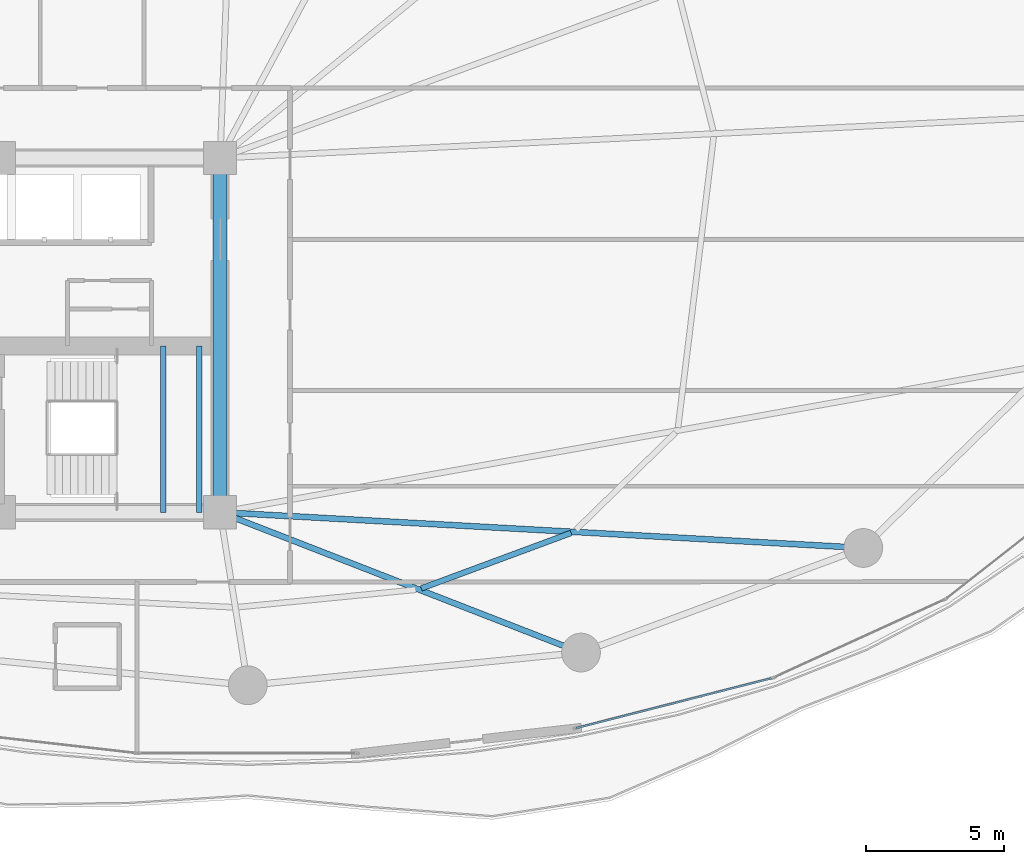
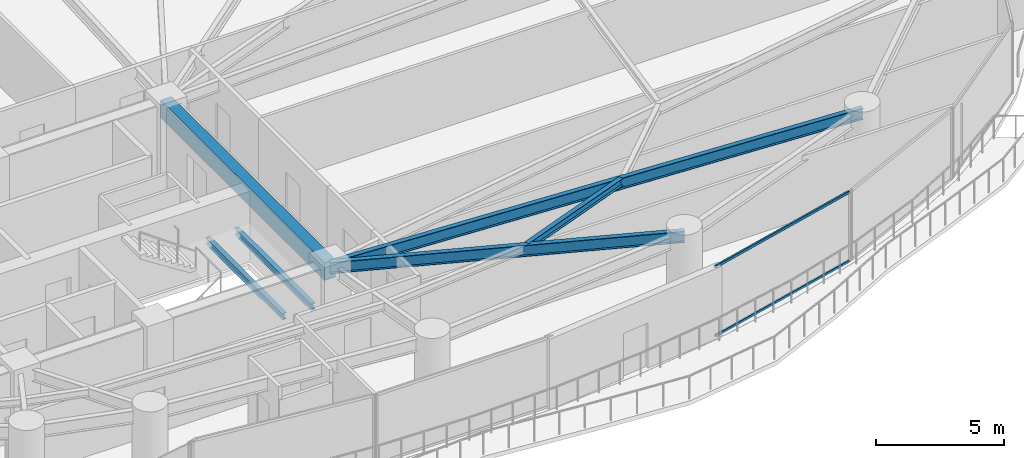
# One storey, part 12 of 31: 6 beams, 2 members, 1 element without a shape of its own.
"""IFC4 building model written with IfcOpenShell, lengths in metres."""

from ifc_helpers import new_model, si_unit, direction, frame, origin, origin_2d, place, context, subcontext, project, spatial, rectangle, hollow_rectangle, i_section, extrude, material, layer, layer_set, material_profile, profile_set, type_object, element, aggregate, save


model = new_model("IFC4")

# Units and contexts
model_context = context("Model", 3, precision=1e-05, world=origin(), true_north=direction((0.0, 1.0)))
body_context = subcontext(model_context, "Body", "Model", "MODEL_VIEW")
ifc_project = project(units=[si_unit("LENGTHUNIT", "METRE"), si_unit("AREAUNIT", "SQUARE_METRE"), si_unit("VOLUMEUNIT", "CUBIC_METRE"), si_unit("PLANEANGLEUNIT", "RADIAN"), si_unit("MASSUNIT", "GRAM", prefix="KILO")], contexts=[model_context])

# Site, building, storey
site_placement = place(None, origin())
site = spatial("IfcSite", under=ifc_project, at=site_placement, CompositionType="ELEMENT")
building_placement = place(site_placement, origin())
building = spatial("IfcBuilding", under=site, at=building_placement, Name="Kazevale Care Tower and Concert Hall", CompositionType="ELEMENT")
storey_placement = place(building_placement, frame((0.0, 0.0, 63.60009765625)))
storey = spatial("IfcBuildingStorey", under=building, at=storey_placement, Name="L16", CompositionType="ELEMENT", Elevation=63.60009765625)

# Curtain wall, members
ifc_material_1 = material(Name="Aluminium 6063-T6 and Low-E Glass", Category="aluminium")
ifc_layer = layer(ifc_material_1, 0.179931640625)
ifc_layer_set = layer_set([ifc_layer], Name="Aluminium 6063-T6 and Low-E Glass")
curtain_wall_type = type_object("IfcCurtainWallType", Name="Sheltered Concave Balcony Curtain Wall CW-5", PredefinedType="NOTDEFINED", material=ifc_layer_set)
curtain_wall_placement = place(storey_placement, origin())
curtain_wall = element("IfcCurtainWall", 1, at=curtain_wall_placement, inside=storey, type_object=curtain_wall_type, Name="cw:L16:f04", PredefinedType="NOTDEFINED")
ifc_material_2 = material(Name="Aluminium 6063-T6", Category="aluminium")
ifc_material_profile_1 = material_profile(ifc_material_2, hollow_rectangle(XDim=0.074951171875, YDim=0.1201171875, WallThickness=0.00390625, at=origin_2d()), Name="ALU75x120x4")
ifc_profile_set_1 = profile_set([ifc_material_profile_1], Name="Aluminium 6063-T6")
member_type = type_object("IfcMemberType", Name="CW-5 Transom ALU75x120x4", PredefinedType="USERDEFINED", material=ifc_profile_set_1)
member_1_placement = place(storey_placement, frame((63.915283203125, 17.599365234375, 0.037353515625), z_axis=(-0.968960816419, -0.24721435283, 0.0), x_axis=(0.24721435283, -0.968960816419, 0.0)))
member_1 = element("IfcMember", 2, at=member_1_placement, type_object=member_type, Name="CW-5 transom 1.1", ObjectType="TRANSOM", PredefinedType="USERDEFINED", context=body_context, shape_type="SweptSolid", body=[
    extrude(hollow_rectangle(XDim=0.074951171875, YDim=0.1201171875, WallThickness=0.00390625, at=origin_2d()), origin(), (0.0, 0.0, 1.0), 7.2763671875),
])
member_2_placement = place(storey_placement, frame((63.915283203125, 17.599365234375, 3.322509765625), z_axis=(-0.968960816419, -0.24721435283, 0.0), x_axis=(0.24721435283, -0.968960816419, 0.0)))
member_2 = element("IfcMember", 3, at=member_2_placement, type_object=member_type, Name="CW-5 transom 1.2", ObjectType="TRANSOM", PredefinedType="USERDEFINED", context=body_context, shape_type="SweptSolid", body=[
    extrude(hollow_rectangle(XDim=0.074951171875, YDim=0.1201171875, WallThickness=0.00390625, at=origin_2d()), origin(), (0.0, 0.0, 1.0), 7.2763671875),
])
aggregate(curtain_wall, [member_1, member_2])

# Beams
ifc_material_3 = material(Name="Concrete C60", Category="concrete")
ifc_material_profile_2 = material_profile(ifc_material_3, rectangle(XDim=0.5, YDim=0.85009765625, at=origin_2d()), Name="RC-B500x850")
ifc_profile_set_2 = profile_set([ifc_material_profile_2], Name="Concrete C60")
beam_type_1 = type_object("IfcBeamType", Name="Core Coupling Beam RC500x850", PredefinedType="LINTEL", material=ifc_profile_set_2)
beam_1_placement = place(storey_placement, frame((44.0, 23.60009765625, 2.934814453125), z_axis=(0.0, 1.0, 0.0), x_axis=(-1.0, 0.0, 0.0)))
element("IfcBeam", 4, at=beam_1_placement, inside=storey, type_object=beam_type_1, Name="beam:L16:coretie:4", PredefinedType="LINTEL", context=body_context, shape_type="SweptSolid", body=[
    extrude(rectangle(XDim=0.5, YDim=0.85009765625, at=origin_2d()), origin(), (0.0, 0.0, 1.0), 12.7998046875),
])
ifc_material_4 = material(Name="Steel ASTM A572 Gr 50", Category="steel")
ifc_material_profile_3 = material_profile(ifc_material_4, i_section(OverallWidth=0.2119140625, OverallDepth=0.5439453125, WebThickness=0.01318359375, FlangeThickness=0.021240234375, at=origin_2d()), Name="W530x123")
ifc_profile_set_3 = profile_set([ifc_material_profile_3], Name="Steel ASTM A572 Gr 50")
beam_type_2 = type_object("IfcBeamType", Name="Radial Floor Girder W530x123", PredefinedType="BEAM", material=ifc_profile_set_3)
beam_2_placement = place(storey_placement, frame((44.0, 23.60009765625, 3.087890625), z_axis=(0.932030212407, -0.362380577792, 0.0), x_axis=(0.362380577792, 0.932030212407, 0.0)))
element("IfcBeam", 5, at=beam_2_placement, inside=storey, type_object=beam_type_2, Name="beam:L16:rad:14", PredefinedType="BEAM", context=body_context, shape_type="SweptSolid", body=[
    extrude(i_section(OverallWidth=0.2119140625, OverallDepth=0.5439453125, WebThickness=0.01318359375, FlangeThickness=0.021240234375, at=origin_2d()), origin(), (0.0, 0.0, 1.0), 13.990966796875),
])
beam_3_placement = place(storey_placement, frame((44.0, 23.60009765625, 3.087890625), z_axis=(0.998462901796, -0.055424125948, 0.0), x_axis=(0.055424125948, 0.998462901796, 0.0)))
element("IfcBeam", 6, at=beam_3_placement, inside=storey, type_object=beam_type_2, Name="beam:L16:rad:15", PredefinedType="BEAM", context=body_context, shape_type="SweptSolid", body=[
    extrude(i_section(OverallWidth=0.2119140625, OverallDepth=0.5439453125, WebThickness=0.01318359375, FlangeThickness=0.021240234375, at=origin_2d()), origin(), (0.0, 0.0, 1.0), 23.27587890625),
])
ifc_material_profile_4 = material_profile(ifc_material_4, i_section(OverallWidth=0.205078125, OverallDepth=0.35400390625, WebThickness=0.009521484375, FlangeThickness=0.016845703125, at=origin_2d()), Name="W360x79")
ifc_profile_set_4 = profile_set([ifc_material_profile_4], Name="Steel ASTM A572 Gr 50")
beam_type_3 = type_object("IfcBeamType", Name="Secondary Floor Joist W360x79", PredefinedType="JOIST", material=ifc_profile_set_4)
beam_4_placement = place(storey_placement, frame((51.27001953125, 20.847900390625, 3.182861328125), z_axis=(0.937698254396, 0.347450692477, 0.0), x_axis=(-0.347450692477, 0.937698254396, 0.0)))
element("IfcBeam", 7, at=beam_4_placement, inside=storey, type_object=beam_type_3, Name="beam:L16:joist:14", PredefinedType="JOIST", context=body_context, shape_type="SweptSolid", body=[
    extrude(i_section(OverallWidth=0.205078125, OverallDepth=0.35400390625, WebThickness=0.009521484375, FlangeThickness=0.016845703125, at=origin_2d()), origin(), (0.0, 0.0, 1.0), 5.773681640625),
])
ifc_material_profile_5 = material_profile(ifc_material_4, i_section(OverallWidth=0.202880859375, OverallDepth=0.302978515625, WebThickness=0.007568359375, FlangeThickness=0.01318359375, at=origin_2d()), Name="W310x60")
ifc_profile_set_5 = profile_set([ifc_material_profile_5], Name="Steel ASTM A572 Gr 50")
beam_type_4 = type_object("IfcBeamType", Name="Stair & Balcony Trimmer W310x60", PredefinedType="BEAM", material=ifc_profile_set_5)
for number, where, z_axis, x_axis, name in (
    (8, (41.949951171875, 23.60009765625, 1.448486328125), (0.0, 1.0, 0.0), (-1.0, 0.0, 0.0), "beam:L16:sttrim:ST2"),
    (9, (43.25, 23.60009765625, 1.448486328125), (0.0, 1.0, 0.0), (-1.0, 0.0, 0.0), "beam:L16:sttrim:ST2b"),
):
    element("IfcBeam", number, at=place(storey_placement, frame(where, z_axis=z_axis, x_axis=x_axis)), inside=storey, type_object=beam_type_4, Name=name, PredefinedType="BEAM", context=body_context, shape_type="SweptSolid", body=[
        extrude(i_section(OverallWidth=0.202880859375, OverallDepth=0.302978515625, WebThickness=0.007568359375, FlangeThickness=0.01318359375, at=origin_2d()), origin(), (0.0, 0.0, 1.0), 6.0),
    ])

save(model, "model.ifc")
